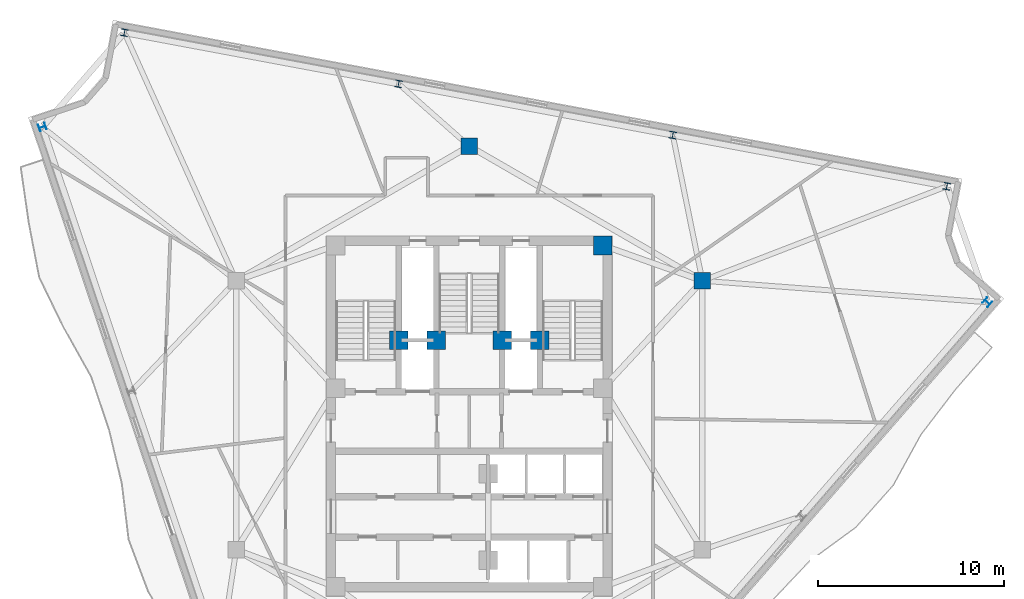
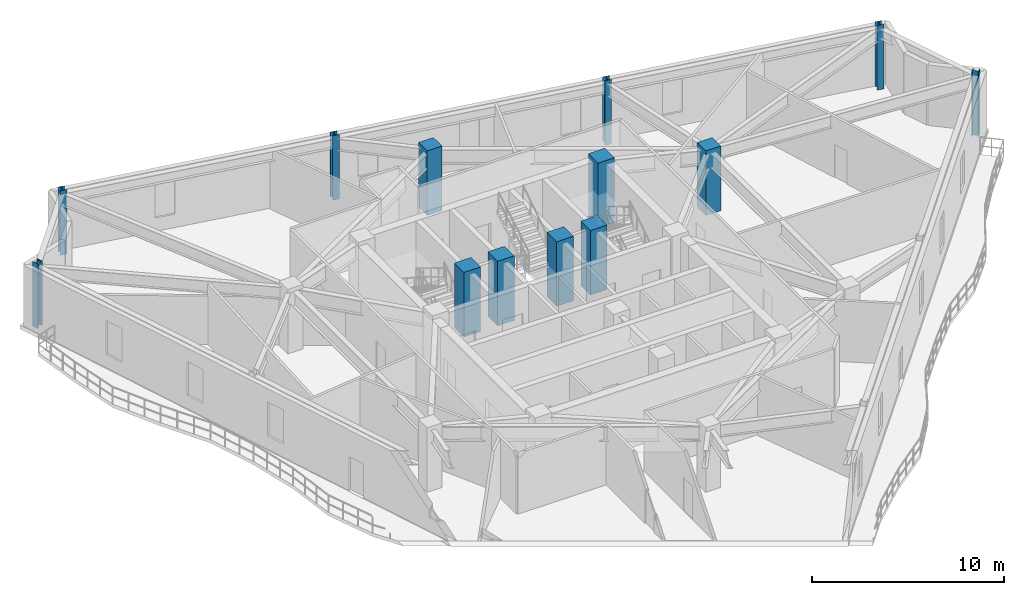
# One storey, part 2 of 10: 13 columns.
"""IFC4 building model written with IfcOpenShell, lengths in metres."""

from ifc_helpers import new_model, si_unit, direction, frame, origin, origin_2d, place, context, subcontext, project, spatial, rectangle, i_section, extrude, material, material_profile, profile_set, type_object, element, save


model = new_model("IFC4")

# Units and contexts
model_context = context("Model", 3, precision=1e-05, world=origin(), true_north=direction((0.0, 1.0)))
body_context = subcontext(model_context, "Body", "Model", "MODEL_VIEW")
ifc_project = project(units=[si_unit("LENGTHUNIT", "METRE"), si_unit("AREAUNIT", "SQUARE_METRE"), si_unit("VOLUMEUNIT", "CUBIC_METRE"), si_unit("PLANEANGLEUNIT", "RADIAN"), si_unit("MASSUNIT", "GRAM", prefix="KILO")], contexts=[model_context])

# Site, building, storey
site_placement = place(None, origin())
site = spatial("IfcSite", under=ifc_project, at=site_placement, CompositionType="ELEMENT")
building_placement = place(site_placement, origin())
building = spatial("IfcBuilding", under=site, at=building_placement, Name="Apsidion Concourse Tower", CompositionType="ELEMENT")
storey_placement = place(building_placement, frame((0.0, 0.0, 269.60009765625)))
storey = spatial("IfcBuildingStorey", under=building, at=storey_placement, Name="L63", CompositionType="ELEMENT", Elevation=269.60009765625)

# Columns
ifc_material_1 = material(Name="Concrete C50/60", Category="concrete")
ifc_material_profile_1 = material_profile(ifc_material_1, rectangle(XDim=1.0, YDim=1.0, at=origin_2d()), Name="RC 1000x1000")
ifc_profile_set_1 = profile_set([ifc_material_profile_1], Name="Concrete C50/60")
column_type_1 = type_object("IfcColumnType", Name="COL-RC-1000", PredefinedType="COLUMN", material=ifc_profile_set_1)
for number, where, z_axis, x_axis, name in (
    (1, (7.199951171875, 9.14990234375, 0.0), (0.0, 0.0, 1.0), (1.0, 0.0, 0.0), "L63 Core Super-Column SC4"),
    (2, (-3.800048828125, 4.050048828125, 0.0), (0.0, 0.0, 1.0), (1.0, 0.0, 0.0), "L63 Core Super-Column CC1"),
    (3, (3.800048828125, 4.050048828125, 0.0), (0.0, 0.0, 1.0), (1.0, 0.0, 0.0), "L63 Core Super-Column CC2"),
    (4, (-1.77490234375, 4.050048828125, 0.0), (0.0, 0.0, 1.0), (1.0, 0.0, 0.0), "L63 Core Super-Column CC3"),
    (5, (1.77490234375, 4.050048828125, 0.0), (0.0, 0.0, 1.0), (1.0, 0.0, 0.0), "L63 Core Super-Column CC4"),
):
    element("IfcColumn", number, at=place(storey_placement, frame(where, z_axis=z_axis, x_axis=x_axis)), inside=storey, type_object=column_type_1, Name=name, PredefinedType="COLUMN", context=body_context, shape_type="SweptSolid", body=[
        extrude(rectangle(XDim=1.0, YDim=1.0, at=origin_2d()), origin(), (0.0, 0.0, 1.0), 4.099853515625),
    ])
ifc_material_profile_2 = material_profile(ifc_material_1, rectangle(XDim=0.89990234375, YDim=0.89990234375, at=origin_2d()), Name="RC 900x900")
ifc_profile_set_2 = profile_set([ifc_material_profile_2], Name="Concrete C50/60")
column_type_2 = type_object("IfcColumnType", Name="COL-RC-900", PredefinedType="COLUMN", material=ifc_profile_set_2)
for number, where, z_axis, x_axis, name in (
    (6, (12.56005859375, 7.25, 0.0), (0.0, 0.0, 1.0), (1.0, 0.0, 0.0), "L63 Interior Spine Column IC3"),
    (7, (0.0, 14.5, 0.0), (0.0, 0.0, 1.0), (1.0, 0.0, 0.0), "L63 Interior Spine Column IC4"),
):
    element("IfcColumn", number, at=place(storey_placement, frame(where, z_axis=z_axis, x_axis=x_axis)), inside=storey, type_object=column_type_2, Name=name, PredefinedType="COLUMN", context=body_context, shape_type="SweptSolid", body=[
        extrude(rectangle(XDim=0.89990234375, YDim=0.89990234375, at=origin_2d()), origin(), (0.0, 0.0, 1.0), 4.099853515625),
    ])
ifc_material_2 = material(Name="Structural steel ASTM A992 Grade 50", Category="steel")
ifc_material_profile_3 = material_profile(ifc_material_2, i_section(OverallWidth=0.373046875, OverallDepth=0.373046875, WebThickness=0.016357421875, FlangeThickness=0.026123046875, at=origin_2d()), Name="W14X132")
ifc_profile_set_3 = profile_set([ifc_material_profile_3], Name="Structural steel ASTM A992 Grade 50")
column_type_3 = type_object("IfcColumnType", Name="COL-W14-132", PredefinedType="COLUMN", material=ifc_profile_set_3)
for number, where, z_axis, x_axis, name in (
    (8, (-23.00439453125, 15.53125, 0.0), (0.0, 0.0, 1.0), (-0.318628456287, 0.947879690069, 0.0), "L63 Rotated Perimeter Column PC01"),
    (9, (27.91455078125, 6.091064453125, 0.0), (0.0, 0.0, 1.0), (0.656059028991, 0.754709580223, 0.0), "L63 Rotated Perimeter Column PC08"),
    (10, (25.73779296875, 12.33837890625, 0.0), (0.0, 0.0, 1.0), (-0.982999500399, 0.183608230249, 0.0), "L63 Rotated Perimeter Column PC09"),
    (11, (10.964599609375, 15.0986328125, 0.0), (0.0, 0.0, 1.0), (-0.982999500399, 0.183608230249, 0.0), "L63 Rotated Perimeter Column PC10"),
    (12, (-3.80859375, 17.85888671875, 0.0), (0.0, 0.0, 1.0), (-0.982999500399, 0.183608230249, 0.0), "L63 Rotated Perimeter Column PC11"),
    (13, (-18.58154296875, 20.619140625, 0.0), (0.0, 0.0, 1.0), (-0.982999500399, 0.183608230249, 0.0), "L63 Rotated Perimeter Column PC12"),
):
    element("IfcColumn", number, at=place(storey_placement, frame(where, z_axis=z_axis, x_axis=x_axis)), inside=storey, type_object=column_type_3, Name=name, PredefinedType="COLUMN", context=body_context, shape_type="SweptSolid", body=[
        extrude(i_section(OverallWidth=0.373046875, OverallDepth=0.373046875, WebThickness=0.016357421875, FlangeThickness=0.026123046875, at=origin_2d()), origin(), (0.0, 0.0, 1.0), 4.099853515625),
    ])

save(model, "model.ifc")
